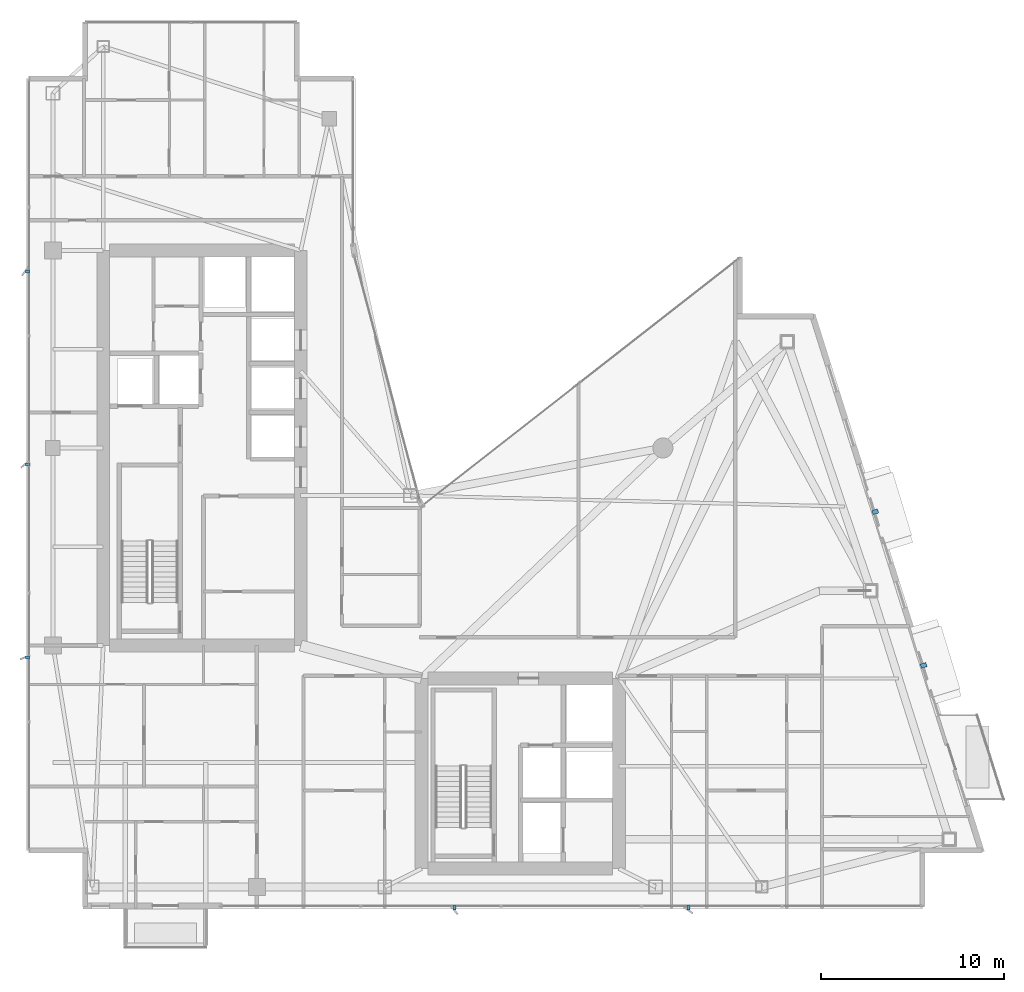
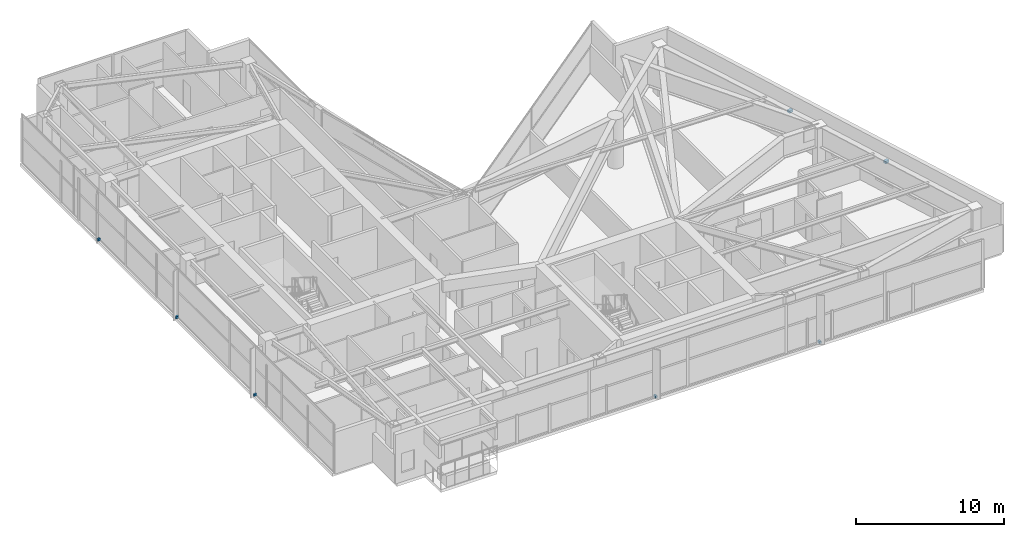
# One storey, part 27 of 29: 7 discrete accessories.
"""IFC4 building model written with IfcOpenShell, lengths in metres."""

from ifc_helpers import new_model, si_unit, direction, frame, origin, origin_2d, place, context, subcontext, project, spatial, rectangle, extrude, material, type_object, element, save


model = new_model("IFC4")

# Units and contexts
model_context = context("Model", 3, precision=1e-05, world=origin(), true_north=direction((0.0, 1.0)))
body_context = subcontext(model_context, "Body", "Model", "MODEL_VIEW")
ifc_project = project(units=[si_unit("LENGTHUNIT", "METRE"), si_unit("AREAUNIT", "SQUARE_METRE"), si_unit("VOLUMEUNIT", "CUBIC_METRE"), si_unit("PLANEANGLEUNIT", "RADIAN"), si_unit("MASSUNIT", "GRAM", prefix="KILO")], contexts=[model_context])

# Site, building, storey
site_placement = place(None, origin())
site = spatial("IfcSite", under=ifc_project, at=site_placement, CompositionType="ELEMENT")
building_placement = place(site_placement, origin())
building = spatial("IfcBuilding", under=site, at=building_placement, Name="Calvorn Quay Hotel", CompositionType="ELEMENT")
storey_placement = place(building_placement, frame((0.0, 0.0, 214.800048828125)))
storey = spatial("IfcBuildingStorey", under=building, at=storey_placement, Name="L53", CompositionType="ELEMENT", Elevation=214.800048828125)

# Discrete accessories
ifc_material = material(Name="Steel Q355B", Category="steel")
discrete_accessory_type = type_object("IfcDiscreteAccessoryType", Name="ACC-FIN-BRACKET", PredefinedType="BRACKET", material=ifc_material)
for number, where, z_axis, x_axis, name in (
    (1, (0.06005859375, 16.14990234375, 0.02978515625), (0.0, 0.0, 1.0), (1.0, 0.0, 0.0), "Fin Anchor Bracket L53-W01"),
    (2, (0.06005859375, 26.699951171875, 0.02978515625), (0.0, 0.0, 1.0), (1.0, 0.0, 0.0), "Fin Anchor Bracket L53-W02"),
    (3, (0.06005859375, 37.25, 0.02978515625), (0.0, 0.0, 1.0), (1.0, 0.0, 0.0), "Fin Anchor Bracket L53-W03"),
    (4, (23.39990234375, 2.4599609375, 0.02978515625), (0.0, 0.0, 1.0), (0.0, 1.0, 0.0), "Fin Anchor Bracket L53-S01"),
    (5, (36.199951171875, 2.4599609375, 0.02978515625), (0.0, 0.0, 1.0), (0.0, 1.0, 0.0), "Fin Anchor Bracket L53-S02"),
):
    element("IfcDiscreteAccessory", number, at=place(storey_placement, frame(where, z_axis=z_axis, x_axis=x_axis)), inside=storey, type_object=discrete_accessory_type, Name=name, PredefinedType="BRACKET", context=body_context, shape_type="SweptSolid", body=[
        extrude(rectangle(XDim=0.239990234375, YDim=0.159912109375, at=origin_2d()), origin(), (0.0, 0.0, 1.0), 0.179931640625),
    ])
for number, where, z_axis, x_axis, name in (
    (6, (49.055908203125, 15.7119140625, 2.3701171875), (0.0, 0.0, 1.0), (0.957319497532, 0.289031796944, 0.0), "Bay Hood Support Bracket L53-HOOD-2"),
    (7, (46.409912109375, 24.112060546875, 2.3701171875), (0.0, 0.0, 1.0), (0.957319497532, 0.289031796944, 0.0), "Bay Hood Support Bracket L53-HOOD-3"),
):
    element("IfcDiscreteAccessory", number, at=place(storey_placement, frame(where, z_axis=z_axis, x_axis=x_axis)), inside=storey, type_object=discrete_accessory_type, Name=name, PredefinedType="BRACKET", context=body_context, shape_type="SweptSolid", body=[
        extrude(rectangle(XDim=0.320068359375, YDim=0.239990234375, at=origin_2d()), origin(), (0.0, 0.0, 1.0), 0.199951171875),
    ])

save(model, "model.ifc")
